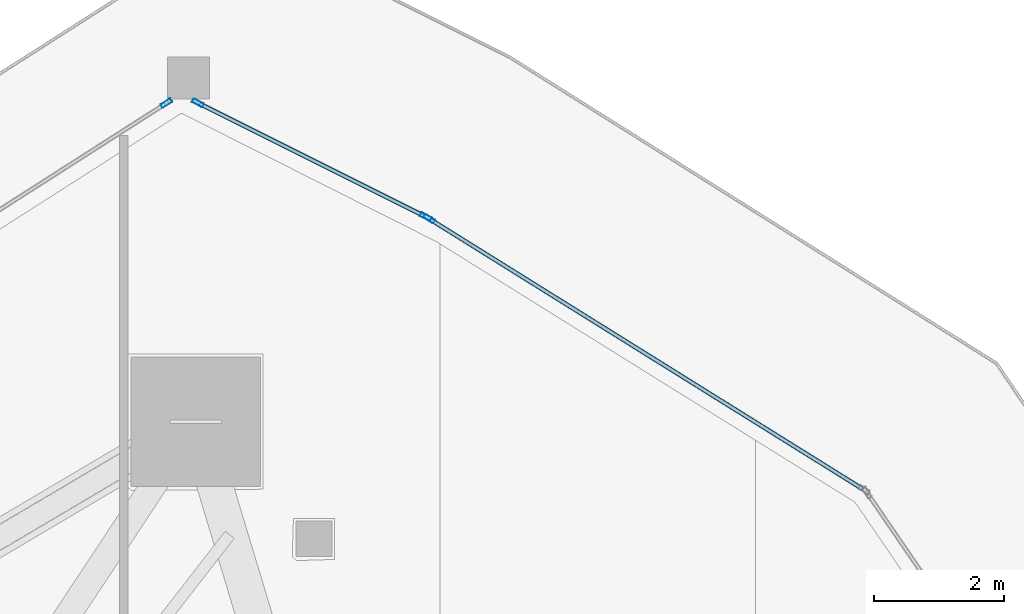
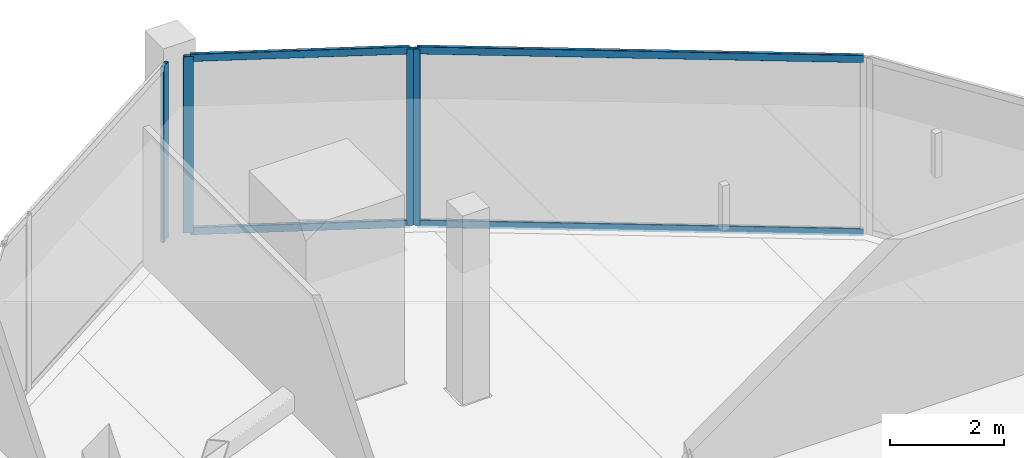
# One storey, part 27 of 43: 8 members, 3 elements without a shape of their own.
"""IFC4 building model written with IfcOpenShell, lengths in metres."""

from ifc_helpers import new_model, si_unit, direction, frame, origin, origin_2d, place, context, subcontext, project, spatial, hollow_rectangle, extrude, material, layer, layer_set, material_profile, profile_set, type_object, element, aggregate, save


model = new_model("IFC4")

# Units and contexts
model_context = context("Model", 3, precision=1e-05, world=origin(), true_north=direction((0.0, 1.0)))
body_context = subcontext(model_context, "Body", "Model", "MODEL_VIEW")
ifc_project = project(units=[si_unit("LENGTHUNIT", "METRE"), si_unit("AREAUNIT", "SQUARE_METRE"), si_unit("VOLUMEUNIT", "CUBIC_METRE"), si_unit("PLANEANGLEUNIT", "RADIAN"), si_unit("MASSUNIT", "GRAM", prefix="KILO")], contexts=[model_context])

# Site, building, storey
site_placement = place(None, origin())
site = spatial("IfcSite", under=ifc_project, at=site_placement, CompositionType="ELEMENT")
building_placement = place(site_placement, origin())
building = spatial("IfcBuilding", under=site, at=building_placement, Name="Qorvath Tower", CompositionType="ELEMENT")
storey_placement = place(building_placement, frame((0.0, 0.0, 213.14990234375)))
storey = spatial("IfcBuildingStorey", under=building, at=storey_placement, Name="L49", CompositionType="ELEMENT", Elevation=213.14990234375)

# Curtain wall, member
ifc_material_1 = material(Name="Anodised aluminium and triple low-E glass", Category="aluminium")
ifc_layer = layer(ifc_material_1, 0.179931640625)
ifc_layer_set = layer_set([ifc_layer], Name="CW-SYS-3")
curtain_wall_type = type_object("IfcCurtainWallType", Name="CW-SYS-3", PredefinedType="NOTDEFINED", material=ifc_layer_set)
curtain_wall_1_placement = place(storey_placement, origin())
curtain_wall_1 = element("IfcCurtainWall", 1, at=curtain_wall_1_placement, inside=storey, type_object=curtain_wall_type, Name="Curtain Wall CW-3 CW-T-L49-14.1", PredefinedType="NOTDEFINED")
ifc_material_2 = material(Name="Anodised aluminium 6063-T6", Category="aluminium")
ifc_material_profile_1 = material_profile(ifc_material_2, hollow_rectangle(XDim=0.06494140625, YDim=0.179931640625, WallThickness=0.00341796875, InnerFilletRadius=0.00341796875, OuterFilletRadius=0.007080078125, at=origin_2d()), Name="CWM 180x65")
ifc_profile_set_1 = profile_set([ifc_material_profile_1], Name="Anodised aluminium 6063-T6")
member_type_1 = type_object("IfcMemberType", Name="CWM-180", PredefinedType="MULLION", material=ifc_profile_set_1)
member_1_placement = place(storey_placement, frame((-13.267578125, 24.75732421875, 0.0), z_axis=(0.0, 0.0, 1.0), x_axis=(-0.529074089173, -0.848575634912, 0.0)))
member_1 = element("IfcMember", 2, at=member_1_placement, type_object=member_type_1, Name="CW-3 mullion 2", PredefinedType="MULLION", context=body_context, shape_type="SweptSolid", body=[
    extrude(hollow_rectangle(XDim=0.06494140625, YDim=0.179931640625, WallThickness=0.00341796875, InnerFilletRadius=0.00341796875, OuterFilletRadius=0.007080078125, at=origin_2d()), origin(), (0.0, 0.0, 1.0), 3.780029296875),
])

# Curtain wall, members
curtain_wall_2_placement = place(storey_placement, origin())
curtain_wall_2 = element("IfcCurtainWall", 3, at=curtain_wall_2_placement, inside=storey, type_object=curtain_wall_type, Name="Curtain Wall CW-3 CW-T-L49-15.1", PredefinedType="NOTDEFINED")
member_2_placement = place(storey_placement, frame((-13.32421875, 24.788818359375, 0.0), z_axis=(0.0, 0.0, 1.0), x_axis=(-0.447153462901, -0.894457254773, 0.0)))
member_2 = element("IfcMember", 4, at=member_2_placement, type_object=member_type_1, Name="CW-3 mullion 1", PredefinedType="MULLION", context=body_context, shape_type="SweptSolid", body=[
    extrude(hollow_rectangle(XDim=0.06494140625, YDim=0.179931640625, WallThickness=0.00341796875, InnerFilletRadius=0.00341796875, OuterFilletRadius=0.007080078125, at=origin_2d()), origin(), (0.0, 0.0, 1.0), 3.780029296875),
])
member_3_placement = place(storey_placement, frame((-16.836181640625, 26.544677734375, 0.0), z_axis=(0.0, 0.0, 1.0), x_axis=(-0.447153462901, -0.894457254773, 0.0)))
member_3 = element("IfcMember", 5, at=member_3_placement, type_object=member_type_1, Name="CW-3 mullion 2", PredefinedType="MULLION", context=body_context, shape_type="SweptSolid", body=[
    extrude(hollow_rectangle(XDim=0.06494140625, YDim=0.179931640625, WallThickness=0.00341796875, InnerFilletRadius=0.00341796875, OuterFilletRadius=0.007080078125, at=origin_2d()), origin(), (0.0, 0.0, 1.0), 3.780029296875),
])

# Curtain wall, member
curtain_wall_3_placement = place(storey_placement, origin())
curtain_wall_3 = element("IfcCurtainWall", 6, at=curtain_wall_3_placement, inside=storey, type_object=curtain_wall_type, Name="Curtain Wall CW-3 CW-T-L49-16.1", PredefinedType="NOTDEFINED")
member_4_placement = place(storey_placement, frame((-17.322998046875, 26.54150390625, 0.0), z_axis=(0.0, 0.0, 1.0), x_axis=(0.538532455845, -0.842604767374, 0.0)))
member_4 = element("IfcMember", 7, at=member_4_placement, type_object=member_type_1, Name="CW-3 mullion 1", PredefinedType="MULLION", context=body_context, shape_type="SweptSolid", body=[
    extrude(hollow_rectangle(XDim=0.06494140625, YDim=0.179931640625, WallThickness=0.00341796875, InnerFilletRadius=0.00341796875, OuterFilletRadius=0.007080078125, at=origin_2d()), origin(), (0.0, 0.0, 1.0), 3.780029296875),
])
aggregate(curtain_wall_3, [member_4])

# Member
ifc_material_3 = material(Name="Anodised aluminium 6063-T6", Category="aluminium")
ifc_material_profile_2 = material_profile(ifc_material_3, hollow_rectangle(XDim=0.06494140625, YDim=0.159912109375, WallThickness=0.00341796875, InnerFilletRadius=0.00341796875, OuterFilletRadius=0.007080078125, at=origin_2d()), Name="CWT 160x65")
ifc_profile_set_2 = profile_set([ifc_material_profile_2], Name="Anodised aluminium 6063-T6")
member_type_2 = type_object("IfcMemberType", Name="CWT-160", PredefinedType="USERDEFINED", material=ifc_profile_set_2)
member_5_placement = place(storey_placement, frame((-6.585205078125, 20.5908203125, 0.032470703125), z_axis=(-0.848574953144, 0.52907518265, 0.0), x_axis=(-0.52907518265, -0.848574953144, 0.0)))
member_5 = element("IfcMember", 8, at=member_5_placement, type_object=member_type_2, Name="CW-3 transom 1.1", ObjectType="TRANSOM", PredefinedType="USERDEFINED", context=body_context, shape_type="SweptSolid", body=[
    extrude(hollow_rectangle(XDim=0.06494140625, YDim=0.159912109375, WallThickness=0.00341796875, InnerFilletRadius=0.00341796875, OuterFilletRadius=0.007080078125, at=origin_2d()), origin(), (0.0, 0.0, 1.0), 7.84228515625),
])

member_6_placement = place(storey_placement, frame((-6.585205078125, 20.5908203125, 3.74755859375), z_axis=(-0.848574953144, 0.52907518265, 0.0), x_axis=(-0.52907518265, -0.848574953144, 0.0)))
member_6 = element("IfcMember", 9, at=member_6_placement, type_object=member_type_2, Name="CW-3 transom 1.2", ObjectType="TRANSOM", PredefinedType="USERDEFINED", context=body_context, shape_type="SweptSolid", body=[
    extrude(hollow_rectangle(XDim=0.06494140625, YDim=0.159912109375, WallThickness=0.00341796875, InnerFilletRadius=0.00341796875, OuterFilletRadius=0.007080078125, at=origin_2d()), origin(), (0.0, 0.0, 1.0), 7.84228515625),
])

aggregate(curtain_wall_1, [member_1, member_5, member_6])

member_7_placement = place(storey_placement, frame((-13.353271484375, 24.803466796875, 0.032470703125), z_axis=(-0.894465123675, 0.447137722106, 0.0), x_axis=(-0.447137722106, -0.894465123675, 0.0)))
member_7 = element("IfcMember", 10, at=member_7_placement, type_object=member_type_2, Name="CW-3 transom 1.1", ObjectType="TRANSOM", PredefinedType="USERDEFINED", context=body_context, shape_type="SweptSolid", body=[
    extrude(hollow_rectangle(XDim=0.06494140625, YDim=0.159912109375, WallThickness=0.00341796875, InnerFilletRadius=0.00341796875, OuterFilletRadius=0.007080078125, at=origin_2d()), origin(), (0.0, 0.0, 1.0), 3.861328125),
])

member_8_placement = place(storey_placement, frame((-13.353271484375, 24.803466796875, 3.74755859375), z_axis=(-0.894465123675, 0.447137722106, 0.0), x_axis=(-0.447137722106, -0.894465123675, 0.0)))
member_8 = element("IfcMember", 11, at=member_8_placement, type_object=member_type_2, Name="CW-3 transom 1.2", ObjectType="TRANSOM", PredefinedType="USERDEFINED", context=body_context, shape_type="SweptSolid", body=[
    extrude(hollow_rectangle(XDim=0.06494140625, YDim=0.159912109375, WallThickness=0.00341796875, InnerFilletRadius=0.00341796875, OuterFilletRadius=0.007080078125, at=origin_2d()), origin(), (0.0, 0.0, 1.0), 3.861328125),
])

aggregate(curtain_wall_2, [member_2, member_3, member_7, member_8])

save(model, "model.ifc")
